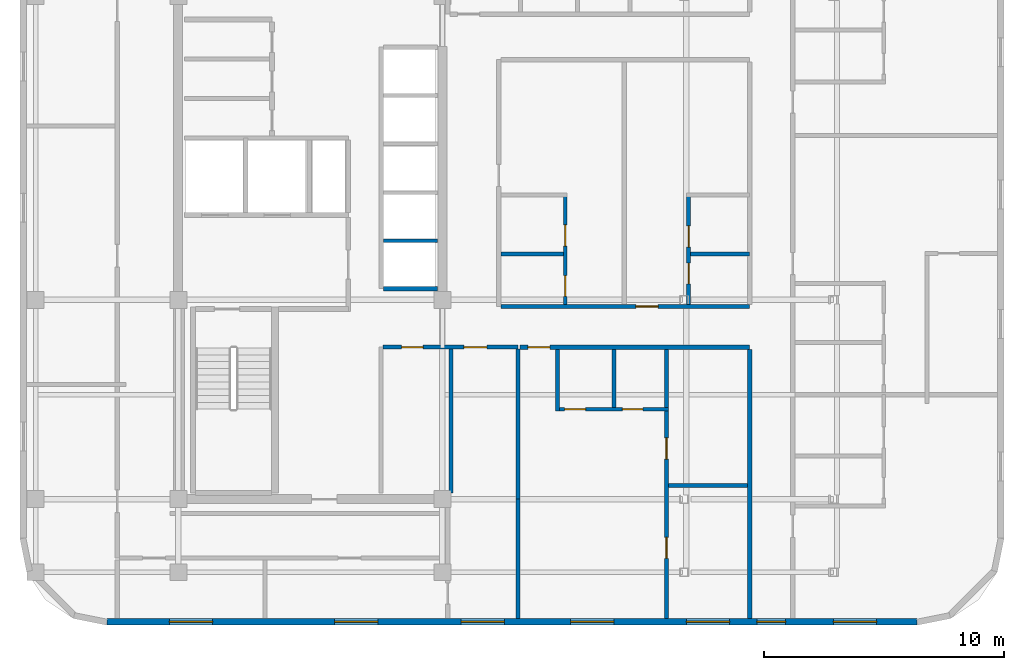
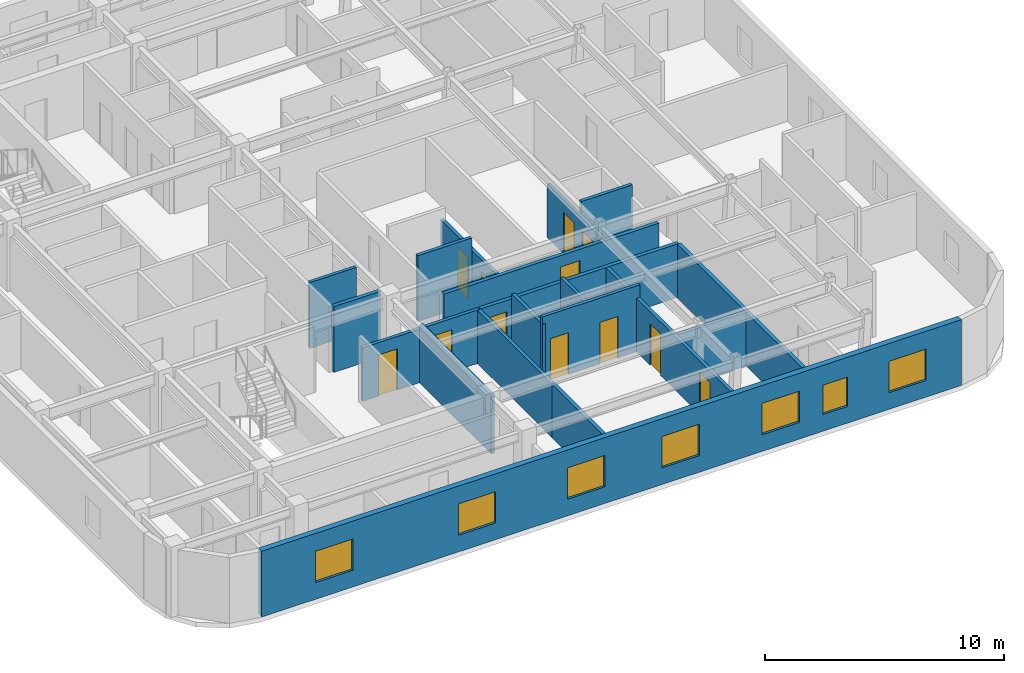
# One storey, part 3 of 8: 19 walls, 12 doors, 7 windows, 19 openings.
"""IFC4 building model written with IfcOpenShell, lengths in metres."""

from ifc_helpers import new_model, si_unit, direction, frame, frame_2d, origin, place, context, subcontext, project, spatial, rectangle, extrude, material, layer, layer_set, type_object, element, fill, save


model = new_model("IFC4")

# Units and contexts
model_context = context("Model", 3, precision=1e-05, world=origin(), true_north=direction((0.0, 1.0)))
body_context = subcontext(model_context, "Body", "Model", "MODEL_VIEW")
ifc_project = project(units=[si_unit("LENGTHUNIT", "METRE"), si_unit("AREAUNIT", "SQUARE_METRE"), si_unit("VOLUMEUNIT", "CUBIC_METRE"), si_unit("PLANEANGLEUNIT", "RADIAN"), si_unit("MASSUNIT", "GRAM", prefix="KILO")], contexts=[model_context])

# Site, building, storey
site_placement = place(None, origin())
site = spatial("IfcSite", under=ifc_project, at=site_placement, CompositionType="ELEMENT")
building_placement = place(site_placement, origin())
building = spatial("IfcBuilding", under=site, at=building_placement, Name="Ochreholt Gables", CompositionType="ELEMENT")
storey_placement = place(building_placement, frame((0.0, 0.0, 151.800048828125)))
storey = spatial("IfcBuildingStorey", under=building, at=storey_placement, Name="L39", CompositionType="ELEMENT", Elevation=151.800048828125)

# Wall, openings, windows
ifc_material_1 = material(Name="Precast concrete 40 MPa", Category="concrete")
ifc_layer_1 = layer(ifc_material_1, 0.280029296875, Name="Precast concrete 40 MPa")
ifc_layer_set_1 = layer_set([ifc_layer_1], Name="Precast concrete 40 MPa")
wall_type_1 = type_object("IfcWallType", Name="WALL-EXT-280", PredefinedType="SOLIDWALL", material=ifc_layer_set_1)
wall_1_placement = place(storey_placement, frame((21.219970703125, 4.139892578125, 0.0), z_axis=(0.0, 0.0, 1.0), x_axis=(1.0, 0.0, 0.0)))
wall_1 = element("IfcWall", 1, at=wall_1_placement, inside=storey, type_object=wall_type_1, Name="L39 South Exterior Wall", PredefinedType="SOLIDWALL", context=body_context, shape_type="SweptSolid", body=[
    extrude(rectangle(XDim=33.760009765625, YDim=0.280029296875, at=frame_2d((16.8798828125, 0.0))), origin(), (0.0, 0.0, 1.0), 3.35986328125),
])
opening_1_placement = place(wall_1_placement, frame((2.60498046875, 0.0, 0.85009765625)))
opening_1 = element("IfcOpeningElement", 2, at=opening_1_placement, cuts=wall_1, Name="Opening WN-1", PredefinedType="OPENING", context=body_context, shape_type="SweptSolid", body=[
    extrude(rectangle(XDim=1.800048828125, YDim=1.60009765625, at=frame_2d((0.89990234375, 0.800048828125))), frame((0.0, 0.14990234375, 0.0), z_axis=(0.0, -1.0, 0.0), x_axis=(1.0, 0.0, 0.0)), (0.0, 0.0, 1.0), 0.300048828125),
])
opening_2_placement = place(wall_1_placement, frame((9.489990234375, 0.0, 0.85009765625)))
opening_2 = element("IfcOpeningElement", 3, at=opening_2_placement, cuts=wall_1, Name="Opening WN-1", PredefinedType="OPENING", context=body_context, shape_type="SweptSolid", body=[
    extrude(rectangle(XDim=1.800048828125, YDim=1.60009765625, at=frame_2d((0.89990234375, 0.800048828125))), frame((0.0, 0.14990234375, 0.0), z_axis=(0.0, -1.0, 0.0), x_axis=(1.0, 0.0, 0.0)), (0.0, 0.0, 1.0), 0.300048828125),
])
opening_3_placement = place(wall_1_placement, frame((14.764892578125, 0.0, 0.85009765625)))
opening_3 = element("IfcOpeningElement", 4, at=opening_3_placement, cuts=wall_1, Name="Opening WN-1", PredefinedType="OPENING", context=body_context, shape_type="SweptSolid", body=[
    extrude(rectangle(XDim=1.800048828125, YDim=1.60009765625, at=frame_2d((0.89990234375, 0.800048828125))), frame((0.0, 0.14990234375, 0.0), z_axis=(0.0, -1.0, 0.0), x_axis=(1.0, 0.0, 0.0)), (0.0, 0.0, 1.0), 0.300048828125),
])
opening_4_placement = place(wall_1_placement, frame((19.324951171875, 0.0, 0.85009765625)))
opening_4 = element("IfcOpeningElement", 5, at=opening_4_placement, cuts=wall_1, Name="Opening WN-1", PredefinedType="OPENING", context=body_context, shape_type="SweptSolid", body=[
    extrude(rectangle(XDim=1.800048828125, YDim=1.60009765625, at=frame_2d((0.89990234375, 0.800048828125))), frame((0.0, 0.14990234375, 0.0), z_axis=(0.0, -1.0, 0.0), x_axis=(1.0, 0.0, 0.0)), (0.0, 0.0, 1.0), 0.300048828125),
])
opening_5_placement = place(wall_1_placement, frame((24.14990234375, 0.0, 0.85009765625)))
opening_5 = element("IfcOpeningElement", 6, at=opening_5_placement, cuts=wall_1, Name="Opening WN-1", PredefinedType="OPENING", context=body_context, shape_type="SweptSolid", body=[
    extrude(rectangle(XDim=1.800048828125, YDim=1.60009765625, at=frame_2d((0.89990234375, 0.800048828125))), frame((0.0, 0.14990234375, 0.0), z_axis=(0.0, -1.0, 0.0), x_axis=(1.0, 0.0, 0.0)), (0.0, 0.0, 1.0), 0.300048828125),
])
opening_6_placement = place(wall_1_placement, frame((27.080078125, 0.0, 0.85009765625)))
opening_6 = element("IfcOpeningElement", 7, at=opening_6_placement, cuts=wall_1, Name="Opening WN-3", PredefinedType="OPENING", context=body_context, shape_type="SweptSolid", body=[
    extrude(rectangle(XDim=1.199951171875, YDim=1.5, at=frame_2d((0.60009765625, 0.75))), frame((0.0, 0.14990234375, 0.0), z_axis=(0.0, -1.0, 0.0), x_axis=(1.0, 0.0, 0.0)), (0.0, 0.0, 1.0), 0.300048828125),
])
opening_7_placement = place(wall_1_placement, frame((30.27001953125, 0.0, 0.85009765625)))
opening_7 = element("IfcOpeningElement", 8, at=opening_7_placement, cuts=wall_1, Name="Opening WN-1", PredefinedType="OPENING", context=body_context, shape_type="SweptSolid", body=[
    extrude(rectangle(XDim=1.800048828125, YDim=1.60009765625, at=frame_2d((0.89990234375, 0.800048828125))), frame((0.0, 0.14990234375, 0.0), z_axis=(0.0, -1.0, 0.0), x_axis=(1.0, 0.0, 0.0)), (0.0, 0.0, 1.0), 0.300048828125),
])
ifc_material_2 = material(Name="Triple-Glazed Thermally Broken Aluminium Window", Category="aluminium")
window_type_1 = type_object("IfcWindowType", Name="WIN-RES-1200", PartitioningType="SINGLE_PANEL", PredefinedType="WINDOW", material=ifc_material_2)
window_1_placement = place(opening_6_placement, origin())
window_1 = element("IfcWindow", 9, at=window_1_placement, inside=storey, type_object=window_type_1, Name="L39 Window W-EXT-S-L39-6", OverallHeight=1.5, OverallWidth=1.199951171875, PartitioningType="SINGLE_PANEL", PredefinedType="WINDOW", context=body_context, shape_type="SweptSolid", body=[
    extrude(rectangle(XDim=1.199951171875, YDim=1.5, at=frame_2d((0.60009765625, 0.75))), frame((0.0, 0.030029296875, 0.0), z_axis=(0.0, -1.0, 0.0), x_axis=(1.0, 0.0, 0.0)), (0.0, 0.0, 1.0), 0.06005859375),
])
fill(opening_6, window_1)
window_type_2 = type_object("IfcWindowType", Name="WIN-RES-1800", PartitioningType="SINGLE_PANEL", PredefinedType="WINDOW", material=ifc_material_2)
window_2_placement = place(opening_1_placement, origin())
window_2 = element("IfcWindow", 10, at=window_2_placement, inside=storey, type_object=window_type_2, Name="L39 Window W-EXT-S-L39-1", OverallHeight=1.60009765625, OverallWidth=1.800048828125, PartitioningType="SINGLE_PANEL", PredefinedType="WINDOW", context=body_context, shape_type="SweptSolid", body=[
    extrude(rectangle(XDim=1.800048828125, YDim=1.60009765625, at=frame_2d((0.89990234375, 0.800048828125))), frame((0.0, 0.030029296875, 0.0), z_axis=(0.0, -1.0, 0.0), x_axis=(1.0, 0.0, 0.0)), (0.0, 0.0, 1.0), 0.06005859375),
])
fill(opening_1, window_2)
window_3_placement = place(opening_2_placement, origin())
window_3 = element("IfcWindow", 11, at=window_3_placement, inside=storey, type_object=window_type_2, Name="L39 Window W-EXT-S-L39-2", OverallHeight=1.60009765625, OverallWidth=1.800048828125, PartitioningType="SINGLE_PANEL", PredefinedType="WINDOW", context=body_context, shape_type="SweptSolid", body=[
    extrude(rectangle(XDim=1.800048828125, YDim=1.60009765625, at=frame_2d((0.89990234375, 0.800048828125))), frame((0.0, 0.030029296875, 0.0), z_axis=(0.0, -1.0, 0.0), x_axis=(1.0, 0.0, 0.0)), (0.0, 0.0, 1.0), 0.06005859375),
])
fill(opening_2, window_3)
window_4_placement = place(opening_3_placement, origin())
window_4 = element("IfcWindow", 12, at=window_4_placement, inside=storey, type_object=window_type_2, Name="L39 Window W-EXT-S-L39-3", OverallHeight=1.60009765625, OverallWidth=1.800048828125, PartitioningType="SINGLE_PANEL", PredefinedType="WINDOW", context=body_context, shape_type="SweptSolid", body=[
    extrude(rectangle(XDim=1.800048828125, YDim=1.60009765625, at=frame_2d((0.89990234375, 0.800048828125))), frame((0.0, 0.030029296875, 0.0), z_axis=(0.0, -1.0, 0.0), x_axis=(1.0, 0.0, 0.0)), (0.0, 0.0, 1.0), 0.06005859375),
])
fill(opening_3, window_4)
window_5_placement = place(opening_4_placement, origin())
window_5 = element("IfcWindow", 13, at=window_5_placement, inside=storey, type_object=window_type_2, Name="L39 Window W-EXT-S-L39-4", OverallHeight=1.60009765625, OverallWidth=1.800048828125, PartitioningType="SINGLE_PANEL", PredefinedType="WINDOW", context=body_context, shape_type="SweptSolid", body=[
    extrude(rectangle(XDim=1.800048828125, YDim=1.60009765625, at=frame_2d((0.89990234375, 0.800048828125))), frame((0.0, 0.030029296875, 0.0), z_axis=(0.0, -1.0, 0.0), x_axis=(1.0, 0.0, 0.0)), (0.0, 0.0, 1.0), 0.06005859375),
])
fill(opening_4, window_5)
window_6_placement = place(opening_5_placement, origin())
window_6 = element("IfcWindow", 14, at=window_6_placement, inside=storey, type_object=window_type_2, Name="L39 Window W-EXT-S-L39-5", OverallHeight=1.60009765625, OverallWidth=1.800048828125, PartitioningType="SINGLE_PANEL", PredefinedType="WINDOW", context=body_context, shape_type="SweptSolid", body=[
    extrude(rectangle(XDim=1.800048828125, YDim=1.60009765625, at=frame_2d((0.89990234375, 0.800048828125))), frame((0.0, 0.030029296875, 0.0), z_axis=(0.0, -1.0, 0.0), x_axis=(1.0, 0.0, 0.0)), (0.0, 0.0, 1.0), 0.06005859375),
])
fill(opening_5, window_6)
window_7_placement = place(opening_7_placement, origin())
window_7 = element("IfcWindow", 15, at=window_7_placement, inside=storey, type_object=window_type_2, Name="L39 Window W-EXT-S-L39-7", OverallHeight=1.60009765625, OverallWidth=1.800048828125, PartitioningType="SINGLE_PANEL", PredefinedType="WINDOW", context=body_context, shape_type="SweptSolid", body=[
    extrude(rectangle(XDim=1.800048828125, YDim=1.60009765625, at=frame_2d((0.89990234375, 0.800048828125))), frame((0.0, 0.030029296875, 0.0), z_axis=(0.0, -1.0, 0.0), x_axis=(1.0, 0.0, 0.0)), (0.0, 0.0, 1.0), 0.06005859375),
])
fill(opening_7, window_7)

# Wall, opening, door
ifc_material_3 = material(Name="Fire-Rated Gypsum Acoustic Partition", Category="gypsum")
ifc_layer_2 = layer(ifc_material_3, 0.179931640625, Name="Fire-Rated Gypsum Acoustic Partition")
ifc_layer_set_2 = layer_set([ifc_layer_2], Name="Fire-Rated Gypsum Acoustic Partition")
wall_type_2 = type_object("IfcWallType", Name="WALL-INT-CR180", PredefinedType="STANDARD", material=ifc_layer_set_2)
wall_2_placement = place(storey_placement, frame((38.4326171875, 15.580078125, 0.0), z_axis=(0.0, 0.0, 1.0), x_axis=(1.0, 0.0, 0.0)))
wall_2 = element("IfcWall", 16, at=wall_2_placement, inside=storey, type_object=wall_type_2, Name="L39 Interior Wall WI-C2SS1-L39", PredefinedType="STANDARD", context=body_context, shape_type="SweptSolid", body=[
    extrude(rectangle(XDim=9.5673828125, YDim=0.179931640625, at=frame_2d((4.78369140625, 0.0))), origin(), (0.0, 0.0, 1.0), 2.72998046875),
])
opening_8_placement = place(wall_2_placement, frame((0.327392578125, 0.0, 0.0)))
opening_8 = element("IfcOpeningElement", 17, at=opening_8_placement, cuts=wall_2, Name="Opening D-UN1", PredefinedType="OPENING", context=body_context, shape_type="SweptSolid", body=[
    extrude(rectangle(XDim=0.919921875, YDim=2.14990234375, at=frame_2d((0.4599609375, 1.074951171875))), frame((0.0, 0.099853515625, 0.0), z_axis=(0.0, -1.0, 0.0), x_axis=(1.0, 0.0, 0.0)), (0.0, 0.0, 1.0), 0.199951171875),
])
ifc_material_4 = material(Name="Engineered Oak Timber", Category="wood")
door_type_1 = type_object("IfcDoorType", Name="DR-INT-UNT920", OperationType="NOTDEFINED", PredefinedType="DOOR", material=ifc_material_4)
door_1_placement = place(opening_8_placement, origin())
door_1 = element("IfcDoor", 18, at=door_1_placement, inside=storey, type_object=door_type_1, Name="L39 Door D-U-L39S1-ENT", OperationType="SINGLE_SWING_RIGHT", OverallHeight=2.14990234375, OverallWidth=0.919921875, PredefinedType="DOOR", context=body_context, shape_type="SweptSolid", body=[
    extrude(rectangle(XDim=0.919921875, YDim=2.14990234375, at=frame_2d((0.4599609375, 1.074951171875))), frame((0.0, 0.02490234375, 0.0), z_axis=(0.0, -1.0, 0.0), x_axis=(1.0, 0.0, 0.0)), (0.0, 0.0, 1.0), 0.050048828125),
])
fill(opening_8, door_1)

wall_3_placement = place(storey_placement, frame((37.639892578125, 17.280029296875, 0.0), z_axis=(0.0, 0.0, 1.0), x_axis=(1.0, 0.0, 0.0)))
wall_3 = element("IfcWall", 19, at=wall_3_placement, inside=storey, type_object=wall_type_2, Name="L39 Interior Wall WI-C2SS2-L39", PredefinedType="STANDARD", context=body_context, shape_type="SweptSolid", body=[
    extrude(rectangle(XDim=10.360107421875, YDim=0.179931640625, at=frame_2d((5.18017578125, 0.0))), origin(), (0.0, 0.0, 1.0), 2.72998046875),
])
opening_9_placement = place(wall_3_placement, frame((5.625, 0.0, 0.0)))
opening_9 = element("IfcOpeningElement", 20, at=opening_9_placement, cuts=wall_3, Name="Opening D-UN1", PredefinedType="OPENING", context=body_context, shape_type="SweptSolid", body=[
    extrude(rectangle(XDim=0.919921875, YDim=2.14990234375, at=frame_2d((0.4599609375, 1.074951171875))), frame((0.0, 0.099853515625, 0.0), z_axis=(0.0, -1.0, 0.0), x_axis=(1.0, 0.0, 0.0)), (0.0, 0.0, 1.0), 0.199951171875),
])
door_2_placement = place(opening_9_placement, origin())
door_2 = element("IfcDoor", 21, at=door_2_placement, inside=storey, type_object=door_type_1, Name="L39 Door D-U-L39M2-ENT", OperationType="SINGLE_SWING_LEFT", OverallHeight=2.14990234375, OverallWidth=0.919921875, PredefinedType="DOOR", context=body_context, shape_type="SweptSolid", body=[
    extrude(rectangle(XDim=0.919921875, YDim=2.14990234375, at=frame_2d((0.4599609375, 1.074951171875))), frame((0.0, 0.02490234375, 0.0), z_axis=(0.0, -1.0, 0.0), x_axis=(1.0, 0.0, 0.0)), (0.0, 0.0, 1.0), 0.050048828125),
])
fill(opening_9, door_2)

# Walls
wall_4_placement = place(storey_placement, frame((48.0, 4.280029296875, 0.0), z_axis=(0.0, 0.0, 1.0), x_axis=(0.0, 1.0, 0.0)))
element("IfcWall", 22, at=wall_4_placement, inside=storey, type_object=wall_type_2, Name="L39 Interior Wall WI-C2FEGW1-L39", PredefinedType="STANDARD", context=body_context, shape_type="SweptSolid", body=[
    extrude(rectangle(XDim=11.2099609375, YDim=0.179931640625, at=frame_2d((5.60498046875, 0.0))), origin(), (0.0, 0.0, 1.0), 2.72998046875),
])
ifc_material_5 = material(Name="Double-Stud Acoustic Demising Wall", Category="gypsum")
ifc_layer_3 = layer(ifc_material_5, 0.179931640625, Name="Double-Stud Acoustic Demising Wall")
ifc_layer_set_3 = layer_set([ifc_layer_3], Name="Double-Stud Acoustic Demising Wall")
wall_type_3 = type_object("IfcWallType", Name="WALL-INT-DM180", PredefinedType="PARTITIONING", material=ifc_layer_set_3)
wall_5_placement = place(storey_placement, frame((38.35009765625, 4.280029296875, 0.0), z_axis=(0.0, 0.0, 1.0), x_axis=(0.0, 1.0, 0.0)))
element("IfcWall", 23, at=wall_5_placement, inside=storey, type_object=wall_type_3, Name="L39 Interior Wall WI-C2SEW2-L39", PredefinedType="PARTITIONING", context=body_context, shape_type="SweptSolid", body=[
    extrude(rectangle(XDim=4.969970703125, YDim=0.179931640625, at=frame_2d((2.48486328125, 0.0))), origin(), (0.0, 0.0, 1.0), 2.72998046875),
])

# Wall, openings, doors
ifc_material_6 = material(Name="Moisture-Resistant Plumbing Chase Wall", Category="gypsum")
ifc_layer_4 = layer(ifc_material_6, 0.159912109375, Name="Moisture-Resistant Plumbing Chase Wall")
ifc_layer_set_4 = layer_set([ifc_layer_4], Name="Moisture-Resistant Plumbing Chase Wall")
wall_type_4 = type_object("IfcWallType", Name="WALL-INT-PL160", PredefinedType="PLUMBINGWALL", material=ifc_layer_set_4)
wall_6_placement = place(storey_placement, frame((39.909912109375, 12.992431640625, 0.0), z_axis=(0.0, 0.0, 1.0), x_axis=(1.0, 0.0, 0.0)))
wall_6 = element("IfcWall", 24, at=wall_6_placement, inside=storey, type_object=wall_type_4, Name="L39 Interior Wall WU-L39S1-WY", PredefinedType="PLUMBINGWALL", context=body_context, shape_type="SweptSolid", body=[
    extrude(rectangle(XDim=4.710205078125, YDim=0.159912109375, at=frame_2d((2.35498046875, 0.0))), origin(), (0.0, 0.0, 1.0), 3.35986328125),
])
opening_10_placement = place(wall_6_placement, frame((0.3798828125, 0.0, 0.0)))
opening_10 = element("IfcOpeningElement", 25, at=opening_10_placement, cuts=wall_6, Name="Opening D-GN2", PredefinedType="OPENING", context=body_context, shape_type="SweptSolid", body=[
    extrude(rectangle(XDim=0.8798828125, YDim=2.1201171875, at=frame_2d((0.43994140625, 1.06005859375))), frame((0.0, 0.08984375, 0.0), z_axis=(0.0, -1.0, 0.0), x_axis=(1.0, 0.0, 0.0)), (0.0, 0.0, 1.0), 0.179931640625),
])
opening_11_placement = place(wall_6_placement, frame((2.785888671875, 0.0, 0.0)))
opening_11 = element("IfcOpeningElement", 26, at=opening_11_placement, cuts=wall_6, Name="Opening D-BT1", PredefinedType="OPENING", context=body_context, shape_type="SweptSolid", body=[
    extrude(rectangle(XDim=0.860107421875, YDim=2.1201171875, at=frame_2d((0.43017578125, 1.06005859375))), frame((0.0, 0.08984375, 0.0), z_axis=(0.0, -1.0, 0.0), x_axis=(1.0, 0.0, 0.0)), (0.0, 0.0, 1.0), 0.179931640625),
])
door_type_2 = type_object("IfcDoorType", Name="DR-INT-BTH860", OperationType="NOTDEFINED", PredefinedType="DOOR", material=ifc_material_4)
door_3_placement = place(opening_11_placement, origin())
door_3 = element("IfcDoor", 27, at=door_3_placement, inside=storey, type_object=door_type_2, Name="L39 Door D-U-L39S1-BTH", OperationType="SINGLE_SWING_RIGHT", OverallHeight=2.1201171875, OverallWidth=0.860107421875, PredefinedType="DOOR", context=body_context, shape_type="SweptSolid", body=[
    extrude(rectangle(XDim=0.860107421875, YDim=2.1201171875, at=frame_2d((0.43017578125, 1.06005859375))), frame((0.0, 0.02490234375, 0.0), z_axis=(0.0, -1.0, 0.0), x_axis=(1.0, 0.0, 0.0)), (0.0, 0.0, 1.0), 0.050048828125),
])
fill(opening_11, door_3)
door_type_3 = type_object("IfcDoorType", Name="DR-INT-GEN880", OperationType="NOTDEFINED", PredefinedType="DOOR", material=ifc_material_4)
door_4_placement = place(opening_10_placement, origin())
door_4 = element("IfcDoor", 28, at=door_4_placement, inside=storey, type_object=door_type_3, Name="L39 Door D-U-L39S1-KIT", OperationType="SINGLE_SWING_LEFT", OverallHeight=2.1201171875, OverallWidth=0.8798828125, PredefinedType="DOOR", context=body_context, shape_type="SweptSolid", body=[
    extrude(rectangle(XDim=0.8798828125, YDim=2.1201171875, at=frame_2d((0.43994140625, 1.06005859375))), frame((0.0, 0.02490234375, 0.0), z_axis=(0.0, -1.0, 0.0), x_axis=(1.0, 0.0, 0.0)), (0.0, 0.0, 1.0), 0.050048828125),
])
fill(opening_10, door_4)

# Walls
wall_7_placement = place(storey_placement, frame((39.989990234375, 12.91259765625, 0.0), z_axis=(0.0, 0.0, 1.0), x_axis=(0.0, 1.0, 0.0)))
element("IfcWall", 29, at=wall_7_placement, inside=storey, type_object=wall_type_4, Name="L39 Interior Wall WU-L39S1-FY", PredefinedType="PLUMBINGWALL", context=body_context, shape_type="SweptSolid", body=[
    extrude(rectangle(XDim=2.577392578125, YDim=0.159912109375, at=frame_2d((1.28857421875, 0.0))), origin(), (0.0, 0.0, 1.0), 2.98388671875),
])
wall_8_placement = place(storey_placement, frame((42.35595703125, 13.072509765625, 0.0), z_axis=(0.0, 0.0, 1.0), x_axis=(0.0, 1.0, 0.0)))
element("IfcWall", 30, at=wall_8_placement, inside=storey, type_object=wall_type_4, Name="L39 Interior Wall WU-L39S1-WK", PredefinedType="PLUMBINGWALL", context=body_context, shape_type="SweptSolid", body=[
    extrude(rectangle(XDim=2.41748046875, YDim=0.159912109375, at=frame_2d((1.208740234375, 0.0))), origin(), (0.0, 0.0, 1.0), 2.98388671875),
])

# Wall, openings, doors
wall_9_placement = place(storey_placement, frame((40.318115234375, 17.3701171875, 0.0), z_axis=(0.0, 0.0, 1.0), x_axis=(0.0, 1.0, 0.0)))
wall_9 = element("IfcWall", 31, at=wall_9_placement, inside=storey, type_object=wall_type_4, Name="L39 Interior Wall WU-L39M1-WX", PredefinedType="PLUMBINGWALL", context=body_context, shape_type="SweptSolid", body=[
    extrude(rectangle(XDim=4.639892578125, YDim=0.159912109375, at=frame_2d((2.31982421875, 0.0))), origin(), (0.0, 0.0, 1.0), 2.72998046875),
])
opening_12_placement = place(wall_9_placement, frame((0.330078125, 0.0, 0.0)))
opening_12 = element("IfcOpeningElement", 32, at=opening_12_placement, cuts=wall_9, Name="Opening D-BT1", PredefinedType="OPENING", context=body_context, shape_type="SweptSolid", body=[
    extrude(rectangle(XDim=0.860107421875, YDim=2.1201171875, at=frame_2d((0.43017578125, 1.06005859375))), frame((0.0, 0.08984375, 0.0), z_axis=(0.0, -1.0, 0.0), x_axis=(1.0, 0.0, 0.0)), (0.0, 0.0, 1.0), 0.179931640625),
])
opening_13_placement = place(wall_9_placement, frame((2.423095703125, 0.0, 0.0)))
opening_13 = element("IfcOpeningElement", 33, at=opening_13_placement, cuts=wall_9, Name="Opening D-GN2", PredefinedType="OPENING", context=body_context, shape_type="SweptSolid", body=[
    extrude(rectangle(XDim=0.8798828125, YDim=2.1201171875, at=frame_2d((0.43994140625, 1.06005859375))), frame((0.0, 0.08984375, 0.0), z_axis=(0.0, -1.0, 0.0), x_axis=(1.0, 0.0, 0.0)), (0.0, 0.0, 1.0), 0.179931640625),
])
door_5_placement = place(opening_12_placement, origin())
door_5 = element("IfcDoor", 34, at=door_5_placement, inside=storey, type_object=door_type_2, Name="L39 Door D-U-L39M1-BTH", OperationType="SINGLE_SWING_LEFT", OverallHeight=2.1201171875, OverallWidth=0.860107421875, PredefinedType="DOOR", context=body_context, shape_type="SweptSolid", body=[
    extrude(rectangle(XDim=0.860107421875, YDim=2.1201171875, at=frame_2d((0.43017578125, 1.06005859375))), frame((0.0, 0.02490234375, 0.0), z_axis=(0.0, -1.0, 0.0), x_axis=(1.0, 0.0, 0.0)), (0.0, 0.0, 1.0), 0.050048828125),
])
fill(opening_12, door_5)
door_6_placement = place(opening_13_placement, origin())
door_6 = element("IfcDoor", 35, at=door_6_placement, inside=storey, type_object=door_type_3, Name="L39 Door D-U-L39M1-KIT", OperationType="SINGLE_SWING_RIGHT", OverallHeight=2.1201171875, OverallWidth=0.8798828125, PredefinedType="DOOR", context=body_context, shape_type="SweptSolid", body=[
    extrude(rectangle(XDim=0.8798828125, YDim=2.1201171875, at=frame_2d((0.43994140625, 1.06005859375))), frame((0.0, 0.02490234375, 0.0), z_axis=(0.0, -1.0, 0.0), x_axis=(1.0, 0.0, 0.0)), (0.0, 0.0, 1.0), 0.050048828125),
])
fill(opening_13, door_6)

# Wall
wall_10_placement = place(storey_placement, frame((37.639892578125, 19.462890625, 0.0), z_axis=(0.0, 0.0, 1.0), x_axis=(1.0, 0.0, 0.0)))
element("IfcWall", 36, at=wall_10_placement, inside=storey, type_object=wall_type_4, Name="L39 Interior Wall WU-L39M1-WM", PredefinedType="PLUMBINGWALL", context=body_context, shape_type="SweptSolid", body=[
    extrude(rectangle(XDim=2.59814453125, YDim=0.159912109375, at=frame_2d((1.299072265625, 0.0))), origin(), (0.0, 0.0, 1.0), 3.35986328125),
])

# Wall, openings, doors
wall_11_placement = place(storey_placement, frame((45.4599609375, 17.3701171875, 0.0), z_axis=(0.0, 0.0, 1.0), x_axis=(0.0, 1.0, 0.0)))
wall_11 = element("IfcWall", 37, at=wall_11_placement, inside=storey, type_object=wall_type_4, Name="L39 Interior Wall WU-L39M2-WX", PredefinedType="PLUMBINGWALL", context=body_context, shape_type="SweptSolid", body=[
    extrude(rectangle(XDim=4.639892578125, YDim=0.159912109375, at=frame_2d((2.31982421875, 0.0))), origin(), (0.0, 0.0, 1.0), 2.72998046875),
])
opening_14_placement = place(wall_11_placement, frame((0.85009765625, 0.0, 0.0)))
opening_14 = element("IfcOpeningElement", 38, at=opening_14_placement, cuts=wall_11, Name="Opening D-BT1", PredefinedType="OPENING", context=body_context, shape_type="SweptSolid", body=[
    extrude(rectangle(XDim=0.860107421875, YDim=2.1201171875, at=frame_2d((0.43017578125, 1.06005859375))), frame((0.0, 0.08984375, 0.0), z_axis=(0.0, -1.0, 0.0), x_axis=(1.0, 0.0, 0.0)), (0.0, 0.0, 1.0), 0.179931640625),
])
opening_15_placement = place(wall_11_placement, frame((2.383056640625, 0.0, 0.0)))
opening_15 = element("IfcOpeningElement", 39, at=opening_15_placement, cuts=wall_11, Name="Opening D-GN2", PredefinedType="OPENING", context=body_context, shape_type="SweptSolid", body=[
    extrude(rectangle(XDim=0.8798828125, YDim=2.1201171875, at=frame_2d((0.43994140625, 1.06005859375))), frame((0.0, 0.08984375, 0.0), z_axis=(0.0, -1.0, 0.0), x_axis=(1.0, 0.0, 0.0)), (0.0, 0.0, 1.0), 0.179931640625),
])
door_7_placement = place(opening_14_placement, origin())
door_7 = element("IfcDoor", 40, at=door_7_placement, inside=storey, type_object=door_type_2, Name="L39 Door D-U-L39M2-BTH", OperationType="SINGLE_SWING_RIGHT", OverallHeight=2.1201171875, OverallWidth=0.860107421875, PredefinedType="DOOR", context=body_context, shape_type="SweptSolid", body=[
    extrude(rectangle(XDim=0.860107421875, YDim=2.1201171875, at=frame_2d((0.43017578125, 1.06005859375))), frame((0.0, 0.02490234375, 0.0), z_axis=(0.0, -1.0, 0.0), x_axis=(1.0, 0.0, 0.0)), (0.0, 0.0, 1.0), 0.050048828125),
])
fill(opening_14, door_7)
door_8_placement = place(opening_15_placement, origin())
door_8 = element("IfcDoor", 41, at=door_8_placement, inside=storey, type_object=door_type_3, Name="L39 Door D-U-L39M2-KIT", OperationType="SINGLE_SWING_LEFT", OverallHeight=2.1201171875, OverallWidth=0.8798828125, PredefinedType="DOOR", context=body_context, shape_type="SweptSolid", body=[
    extrude(rectangle(XDim=0.8798828125, YDim=2.1201171875, at=frame_2d((0.43994140625, 1.06005859375))), frame((0.0, 0.02490234375, 0.0), z_axis=(0.0, -1.0, 0.0), x_axis=(1.0, 0.0, 0.0)), (0.0, 0.0, 1.0), 0.050048828125),
])
fill(opening_15, door_8)

# Wall
wall_12_placement = place(storey_placement, frame((45.5400390625, 19.462890625, 0.0), z_axis=(0.0, 0.0, 1.0), x_axis=(1.0, 0.0, 0.0)))
element("IfcWall", 42, at=wall_12_placement, inside=storey, type_object=wall_type_4, Name="L39 Interior Wall WU-L39M2-WK", PredefinedType="PLUMBINGWALL", context=body_context, shape_type="SweptSolid", body=[
    extrude(rectangle(XDim=2.4599609375, YDim=0.159912109375, at=frame_2d((1.22998046875, 0.0))), origin(), (0.0, 0.0, 1.0), 3.35986328125),
])

# Wall, openings, doors
ifc_material_7 = material(Name="Gypsum Acoustic Stud Partition", Category="gypsum")
ifc_layer_5 = layer(ifc_material_7, 0.1650390625, Name="Gypsum Acoustic Stud Partition")
ifc_layer_set_5 = layer_set([ifc_layer_5], Name="Gypsum Acoustic Stud Partition")
wall_type_5 = type_object("IfcWallType", Name="WALL-INT-PT165", PredefinedType="PARTITIONING", material=ifc_layer_set_5)
wall_13_placement = place(storey_placement, frame((32.732421875, 15.580078125, 0.0), z_axis=(0.0, 0.0, 1.0), x_axis=(1.0, 0.0, 0.0)))
wall_13 = element("IfcWall", 43, at=wall_13_placement, inside=storey, type_object=wall_type_5, Name="L39 Interior Wall WI-RCL-N-L39", PredefinedType="PARTITIONING", context=body_context, shape_type="SweptSolid", body=[
    extrude(rectangle(XDim=5.61767578125, YDim=0.1650390625, at=frame_2d((2.808837890625, 0.0))), origin(), (0.0, 0.0, 1.0), 2.72998046875),
])
opening_16_placement = place(wall_13_placement, frame((0.767578125, 0.0, 0.0)))
opening_16 = element("IfcOpeningElement", 44, at=opening_16_placement, cuts=wall_13, Name="Opening D-SV1", PredefinedType="OPENING", context=body_context, shape_type="SweptSolid", body=[
    extrude(rectangle(XDim=0.89990234375, YDim=2.10009765625, at=frame_2d((0.449951171875, 1.050048828125))), frame((0.0, 0.092529296875, 0.0), z_axis=(0.0, -1.0, 0.0), x_axis=(1.0, 0.0, 0.0)), (0.0, 0.0, 1.0), 0.18505859375),
])
opening_17_placement = place(wall_13_placement, frame((3.367431640625, 0.0, 0.0)))
opening_17 = element("IfcOpeningElement", 45, at=opening_17_placement, cuts=wall_13, Name="Opening D-GN1", PredefinedType="OPENING", context=body_context, shape_type="SweptSolid", body=[
    extrude(rectangle(XDim=0.949951171875, YDim=2.14990234375, at=frame_2d((0.47509765625, 1.074951171875))), frame((0.0, 0.092529296875, 0.0), z_axis=(0.0, -1.0, 0.0), x_axis=(1.0, 0.0, 0.0)), (0.0, 0.0, 1.0), 0.18505859375),
])
door_type_4 = type_object("IfcDoorType", Name="DR-INT-GEN950", OperationType="NOTDEFINED", PredefinedType="DOOR", material=ifc_material_4)
door_9_placement = place(opening_17_placement, origin())
door_9 = element("IfcDoor", 46, at=door_9_placement, inside=storey, type_object=door_type_4, Name="L39 Door D-RCL2-L39", OperationType="SINGLE_SWING_RIGHT", OverallHeight=2.14990234375, OverallWidth=0.949951171875, PredefinedType="DOOR", context=body_context, shape_type="SweptSolid", body=[
    extrude(rectangle(XDim=0.949951171875, YDim=2.14990234375, at=frame_2d((0.47509765625, 1.074951171875))), frame((0.0, 0.02490234375, 0.0), z_axis=(0.0, -1.0, 0.0), x_axis=(1.0, 0.0, 0.0)), (0.0, 0.0, 1.0), 0.050048828125),
])
fill(opening_17, door_9)
ifc_material_8 = material(Name="Hollow Metal Steel", Category="steel")
door_type_5 = type_object("IfcDoorType", Name="DR-INT-SRV900", OperationType="NOTDEFINED", PredefinedType="DOOR", material=ifc_material_8)
door_10_placement = place(opening_16_placement, origin())
door_10 = element("IfcDoor", 47, at=door_10_placement, inside=storey, type_object=door_type_5, Name="L39 Door D-RCL1-L39", OperationType="SINGLE_SWING_LEFT", OverallHeight=2.10009765625, OverallWidth=0.89990234375, PredefinedType="DOOR", context=body_context, shape_type="SweptSolid", body=[
    extrude(rectangle(XDim=0.89990234375, YDim=2.10009765625, at=frame_2d((0.449951171875, 1.050048828125))), frame((0.0, 0.02490234375, 0.0), z_axis=(0.0, -1.0, 0.0), x_axis=(1.0, 0.0, 0.0)), (0.0, 0.0, 1.0), 0.050048828125),
])
fill(opening_16, door_10)

# Walls
wall_14_placement = place(storey_placement, frame((38.35009765625, 9.25, 0.0), z_axis=(0.0, 0.0, 1.0), x_axis=(0.0, 1.0, 0.0)))
element("IfcWall", 48, at=wall_14_placement, inside=storey, type_object=wall_type_5, Name="L39 Interior Wall WI-RCL-E-L39", PredefinedType="PARTITIONING", context=body_context, shape_type="SweptSolid", body=[
    extrude(rectangle(XDim=6.24755859375, YDim=0.1650390625, at=frame_2d((3.123779296875, 0.0))), origin(), (0.0, 0.0, 1.0), 2.72998046875),
])
wall_15_placement = place(storey_placement, frame((35.550048828125, 9.5, 0.0), z_axis=(0.0, 0.0, 1.0), x_axis=(0.0, 1.0, 0.0)))
element("IfcWall", 49, at=wall_15_placement, inside=storey, type_object=wall_type_5, Name="L39 Interior Wall WI-RCL-DV-L39", PredefinedType="PARTITIONING", context=body_context, shape_type="SweptSolid", body=[
    extrude(rectangle(XDim=5.99755859375, YDim=0.1650390625, at=frame_2d((2.998779296875, 0.0))), origin(), (0.0, 0.0, 1.0), 2.98388671875),
])

# Wall, openings, doors
wall_16_placement = place(storey_placement, frame((44.5400390625, 4.280029296875, 0.0), z_axis=(0.0, 0.0, 1.0), x_axis=(0.0, 1.0, 0.0)))
wall_16 = element("IfcWall", 50, at=wall_16_placement, inside=storey, type_object=wall_type_5, Name="L39 Interior Wall WU-L39S1-MNX", PredefinedType="PARTITIONING", context=body_context, shape_type="SweptSolid", body=[
    extrude(rectangle(XDim=11.2099609375, YDim=0.1650390625, at=frame_2d((5.60498046875, 0.0))), origin(), (0.0, 0.0, 1.0), 2.72998046875),
])
opening_18_placement = place(wall_16_placement, frame((2.5, 0.0, 0.0)))
opening_18 = element("IfcOpeningElement", 51, at=opening_18_placement, cuts=wall_16, Name="Opening D-BD2", PredefinedType="OPENING", context=body_context, shape_type="SweptSolid", body=[
    extrude(rectangle(XDim=0.8798828125, YDim=2.139892578125, at=frame_2d((0.43994140625, 1.06982421875))), frame((0.0, 0.092529296875, 0.0), z_axis=(0.0, -1.0, 0.0), x_axis=(1.0, 0.0, 0.0)), (0.0, 0.0, 1.0), 0.18505859375),
])
opening_19_placement = place(wall_16_placement, frame((6.641357421875, 0.0, 0.0)))
opening_19 = element("IfcOpeningElement", 52, at=opening_19_placement, cuts=wall_16, Name="Opening D-GN2", PredefinedType="OPENING", context=body_context, shape_type="SweptSolid", body=[
    extrude(rectangle(XDim=0.8798828125, YDim=2.1201171875, at=frame_2d((0.43994140625, 1.06005859375))), frame((0.0, 0.092529296875, 0.0), z_axis=(0.0, -1.0, 0.0), x_axis=(1.0, 0.0, 0.0)), (0.0, 0.0, 1.0), 0.18505859375),
])
door_type_6 = type_object("IfcDoorType", Name="DR-INT-BED880", OperationType="NOTDEFINED", PredefinedType="DOOR", material=ifc_material_4)
door_11_placement = place(opening_18_placement, origin())
door_11 = element("IfcDoor", 53, at=door_11_placement, inside=storey, type_object=door_type_6, Name="L39 Door D-U-L39S1-BD1", OperationType="SINGLE_SWING_RIGHT", OverallHeight=2.139892578125, OverallWidth=0.8798828125, PredefinedType="DOOR", context=body_context, shape_type="SweptSolid", body=[
    extrude(rectangle(XDim=0.8798828125, YDim=2.139892578125, at=frame_2d((0.43994140625, 1.06982421875))), frame((0.0, 0.02490234375, 0.0), z_axis=(0.0, -1.0, 0.0), x_axis=(1.0, 0.0, 0.0)), (0.0, 0.0, 1.0), 0.050048828125),
])
fill(opening_18, door_11)
door_12_placement = place(opening_19_placement, origin())
door_12 = element("IfcDoor", 54, at=door_12_placement, inside=storey, type_object=door_type_3, Name="L39 Door D-U-L39S1-BD2", OperationType="SINGLE_SWING_LEFT", OverallHeight=2.1201171875, OverallWidth=0.8798828125, PredefinedType="DOOR", context=body_context, shape_type="SweptSolid", body=[
    extrude(rectangle(XDim=0.8798828125, YDim=2.1201171875, at=frame_2d((0.43994140625, 1.06005859375))), frame((0.0, 0.02490234375, 0.0), z_axis=(0.0, -1.0, 0.0), x_axis=(1.0, 0.0, 0.0)), (0.0, 0.0, 1.0), 0.050048828125),
])
fill(opening_19, door_12)

# Walls
wall_17_placement = place(storey_placement, frame((44.6201171875, 9.820068359375, 0.0), z_axis=(0.0, 0.0, 1.0), x_axis=(1.0, 0.0, 0.0)))
element("IfcWall", 55, at=wall_17_placement, inside=storey, type_object=wall_type_5, Name="L39 Interior Wall WU-L39S1-RDV", PredefinedType="PARTITIONING", context=body_context, shape_type="SweptSolid", body=[
    extrude(rectangle(XDim=3.289794921875, YDim=0.1650390625, at=frame_2d((1.64501953125, 0.0))), origin(), (0.0, 0.0, 1.0), 2.72998046875),
])
ifc_material_9 = material(Name="Gypsum Shaftliner and Steel Stud", Category="steel")
ifc_layer_6 = layer(ifc_material_9, 0.14990234375, Name="Gypsum Shaftliner and Steel Stud")
ifc_layer_set_6 = layer_set([ifc_layer_6], Name="Gypsum Shaftliner and Steel Stud")
wall_type_6 = type_object("IfcWallType", Name="WALL-INT-SH150", PredefinedType="STANDARD", material=ifc_layer_set_6)
wall_18_placement = place(storey_placement, frame((32.739990234375, 20.02001953125, 0.0), z_axis=(0.0, 0.0, 1.0), x_axis=(1.0, 0.0, 0.0)))
element("IfcWall", 56, at=wall_18_placement, inside=storey, type_object=wall_type_6, Name="L39 Interior Wall WI-LFHE-DH1-L39", PredefinedType="STANDARD", context=body_context, shape_type="SweptSolid", body=[
    extrude(rectangle(XDim=2.260009765625, YDim=0.14990234375, at=frame_2d((1.1298828125, 0.0))), origin(), (0.0, 0.0, 1.0), 3.35986328125),
])
ifc_layer_7 = layer(ifc_material_9, 0.179931640625, Name="Gypsum Shaftliner and Steel Stud")
ifc_layer_set_7 = layer_set([ifc_layer_7], Name="Gypsum Shaftliner and Steel Stud")
wall_type_7 = type_object("IfcWallType", Name="WALL-INT-SH180", PredefinedType="STANDARD", material=ifc_layer_set_7)
wall_19_placement = place(storey_placement, frame((32.739990234375, 18.02001953125, 0.0), z_axis=(0.0, 0.0, 1.0), x_axis=(1.0, 0.0, 0.0)))
element("IfcWall", 57, at=wall_19_placement, inside=storey, type_object=wall_type_7, Name="L39 Interior Wall WI-LFHE-S-L39", PredefinedType="STANDARD", context=body_context, shape_type="SweptSolid", body=[
    extrude(rectangle(XDim=2.260009765625, YDim=0.179931640625, at=frame_2d((1.1298828125, 0.0))), origin(), (0.0, 0.0, 1.0), 3.35986328125),
])

save(model, "model.ifc")
